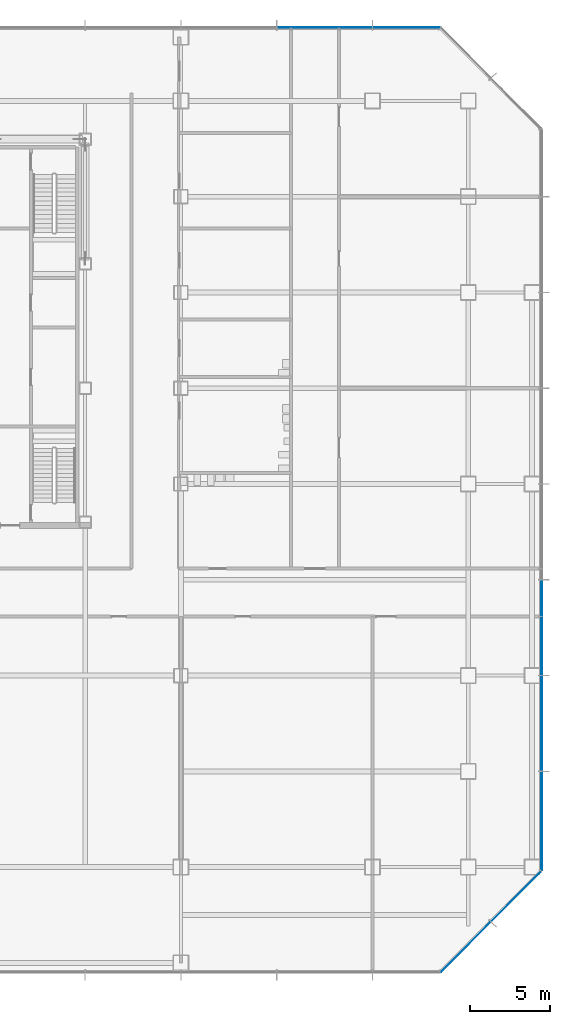
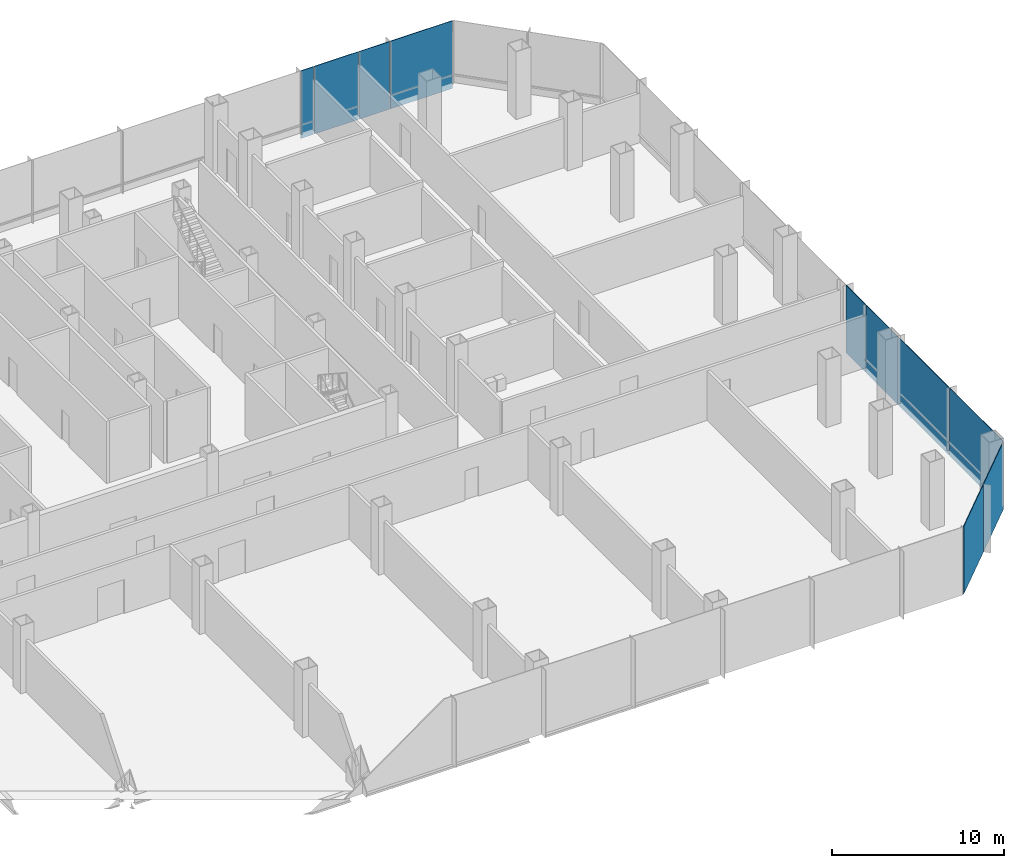
# One storey, part 21 of 33: 10 plates, 3 elements without a shape of their own.
"""IFC4 building model written with IfcOpenShell, lengths in metres."""

import ifcopenshell
import ifcopenshell.guid

model = None  # the IFC model being written
_history = None  # IfcOwnerHistory: only IFC2X3 demands one
_inside = {}  # id of a spatial element -> (the spatial element, [elements in it])
_under = {}  # id of a project, library or spatial element -> (it, [spatial elements below it])
_declared = {}  # id of a project -> (the project, [libraries it declares])
_typed = {}  # id of a type object -> (the type object, [elements of that type])
_made_of = {}  # id of a material, layer set ... -> (it, [elements and type objects made of it])


def new_model(schema):
    """Start an empty IFC model of exactly this schema.

    Asked for "IFC4X3", IfcOpenShell would pick the latest addendum, in which some entities
    have other attributes; the version numbers below select the first issue.
    IFC2X3 requires an IfcOwnerHistory on every rooted entity: one is made here for all.
    """
    global model, _history
    if schema == "IFC4X3":
        model = ifcopenshell.file(schema_version=(4, 3, 0, 0))
    else:
        model = ifcopenshell.file(schema=schema)
    _inside.clear()
    _under.clear()
    _declared.clear()
    _typed.clear()
    _made_of.clear()
    _history = None
    if model.schema == "IFC2X3":
        org = make("IfcOrganization", Name="unknown")
        user = make(
            "IfcPersonAndOrganization",
            ThePerson=make("IfcPerson", FamilyName="unknown"),
            TheOrganization=org,
        )
        app = make(
            "IfcApplication",
            ApplicationDeveloper=org,
            Version="unknown",
            ApplicationFullName="unknown",
            ApplicationIdentifier="unknown",
        )
        _history = make(
            "IfcOwnerHistory",
            OwningUser=user,
            OwningApplication=app,
            ChangeAction="ADDED",
            CreationDate=0,
        )
    return model


def make(cls, **values):
    """One entity of the class cls with the attributes given. An attribute that is None is left unset."""
    return model.create_entity(
        cls, **{name: value for name, value in values.items() if value is not None}
    )


def rooted(cls, **values):
    """An entity with a GlobalId (a new one), such as an element, a storey or a relation."""
    return make(cls, GlobalId=ifcopenshell.guid.new(), OwnerHistory=_history, **values)


def si_unit(unit_type, name, prefix=None):
    """IfcSIUnit, for example si_unit("LENGTHUNIT", "METRE", prefix="MILLI")."""
    return make("IfcSIUnit", UnitType=unit_type, Prefix=prefix, Name=name)


def assignment(units):
    """IfcUnitAssignment: the units of a project."""
    return None if units is None else make("IfcUnitAssignment", Units=units)


def point(xyz):
    """IfcCartesianPoint."""
    return None if xyz is None else make("IfcCartesianPoint", Coordinates=xyz)


def direction(xyz):
    """IfcDirection."""
    return None if xyz is None else make("IfcDirection", DirectionRatios=xyz)


def frame(location, z_axis=None, x_axis=None):
    """IfcAxis2Placement3D, a coordinate frame: its origin and axes. An axis left out is left unset."""
    return make(
        "IfcAxis2Placement3D",
        Location=point(location),
        Axis=direction(z_axis),
        RefDirection=direction(x_axis),
    )


def frame_2d(location, x_axis=None):
    """IfcAxis2Placement2D, a coordinate frame in the plane: its origin and x axis."""
    return make(
        "IfcAxis2Placement2D", Location=point(location), RefDirection=direction(x_axis)
    )


def origin():
    """The frame at (0, 0, 0) with its axes left unset."""
    return frame((0.0, 0.0, 0.0))


def origin_2d():
    """The frame at (0, 0) in the plane with its x axis left unset."""
    return frame_2d((0.0, 0.0))


def place(relative_to, where):
    """IfcLocalPlacement: puts the frame where relative to a parent placement (None: the world)."""
    return make(
        "IfcLocalPlacement", PlacementRelTo=relative_to, RelativePlacement=where
    )


def context(
    kind, dimensions, precision=None, world=None, true_north=None, identifier=None
):
    """IfcGeometricRepresentationContext, for example the 3D "Model" context."""
    return make(
        "IfcGeometricRepresentationContext",
        ContextIdentifier=identifier,
        ContextType=kind,
        CoordinateSpaceDimension=dimensions,
        Precision=precision,
        WorldCoordinateSystem=world,
        TrueNorth=true_north,
    )


def subcontext(parent, identifier, kind, view, scale=None):
    """IfcGeometricRepresentationSubContext, for example "Body" below "Model"."""
    return make(
        "IfcGeometricRepresentationSubContext",
        ContextIdentifier=identifier,
        ContextType=kind,
        ParentContext=parent,
        TargetScale=scale,
        TargetView=view,
    )


def project(units=None, contexts=None):
    """IfcProject with its units and contexts."""
    return rooted(
        "IfcProject",
        Name="project",
        RepresentationContexts=contexts,
        UnitsInContext=assignment(units),
    )


def spatial(cls, under=None, at=None, **own):
    """A site, building, storey or space (cls), placed at a placement, below another one or the project."""
    s = rooted(cls, ObjectPlacement=at, **own)
    if under is not None:
        _under.setdefault(under.id(), (under, []))[1].append(s)
    return s


def profile(cls, at=None, kind="AREA", **sizes):
    """A parametric profile (cls). Its sizes go by their IFC names, for example OverallWidth=200.0."""
    return make(cls, ProfileType=kind, Position=at, **sizes)


def rectangle(**sizes):
    """IfcRectangleProfileDef."""
    return profile("IfcRectangleProfileDef", **sizes)


def extrude(swept, where, along, depth):
    """IfcExtrudedAreaSolid: the profile swept, set in the frame where, extruded along a direction by depth."""
    return make(
        "IfcExtrudedAreaSolid",
        SweptArea=swept,
        Position=where,
        ExtrudedDirection=direction(along),
        Depth=depth,
    )


def shape(context_of_items, identifier, shape_type, items):
    """IfcShapeRepresentation: the items that make up one representation, for example the "Body"."""
    return make(
        "IfcShapeRepresentation",
        ContextOfItems=context_of_items,
        RepresentationIdentifier=identifier,
        RepresentationType=shape_type,
        Items=items,
    )


def material(Name=None, Category=None):
    """IfcMaterial."""
    return make("IfcMaterial", Name=Name, Category=Category)


def layer(
    of_material, thickness, ventilated=None, Name=None, Category=None, Priority=None
):
    """IfcMaterialLayer: one layer of a wall or slab, of a material (None: an air gap)."""
    return make(
        "IfcMaterialLayer",
        Material=of_material,
        LayerThickness=thickness,
        IsVentilated=ventilated,
        Name=Name,
        Category=Category,
        Priority=Priority,
    )


def layer_set(layers, Name=None):
    """IfcMaterialLayerSet."""
    return make("IfcMaterialLayerSet", MaterialLayers=layers, LayerSetName=Name)


def made_of(thing, what):
    """Note that an element or type object is made of a material, layer set ...; save() writes the relation."""
    if what is not None:
        _made_of.setdefault(what.id(), (what, []))[1].append(thing)
    return thing


def type_object(cls, material=None, **own):
    """A type object (cls), such as IfcWallType, which elements share."""
    return made_of(rooted(cls, **own), material)


def element(
    cls,
    number,
    at=None,
    inside=None,
    cuts=None,
    type_object=None,
    material=None,
    context=None,
    identifier="Body",
    shape_type=None,
    held_by="IfcProductDefinitionShape",
    body=None,
    shapes=None,
    **own,
):
    """One element of the class cls, such as IfcWall. Its Tag is "e" and its number.

    at: its placement. inside: the storey or other place that contains it. cuts: it is an
    opening in that element (IfcRelVoidsElement). A single representation is given by context,
    identifier, shape_type and body (its items); several are given by shapes. held_by: the class
    of the entity that holds the representations. save() writes the other relations.
    """
    e = rooted(cls, Tag="e%d" % number, ObjectPlacement=at, **own)
    if body is not None:
        shapes = [shape(context, identifier, shape_type, body)]
    if shapes is not None:
        e.Representation = make(held_by, Representations=shapes)
    if inside is not None:
        _inside.setdefault(inside.id(), (inside, []))[1].append(e)
    if cuts is not None:
        rooted(
            "IfcRelVoidsElement", RelatingBuildingElement=cuts, RelatedOpeningElement=e
        )
    if type_object is not None:
        _typed.setdefault(type_object.id(), (type_object, []))[1].append(e)
    return made_of(e, material)


def aggregate(whole, parts):
    """IfcRelAggregates: a whole, such as a stair, and the parts it consists of."""
    return rooted("IfcRelAggregates", RelatingObject=whole, RelatedObjects=parts)


def save(model, path):
    """Write the relations noted so far, then the file.

    IfcRelAggregates (storeys below a building ...), IfcRelContainedInSpatialStructure (elements
    in a storey), IfcRelDefinesByType, IfcRelAssociatesMaterial and IfcRelDeclares: one each for
    every whole, place, type object, material and project.
    """
    for whole, parts in _under.values():
        aggregate(whole, parts)
    for where, things in _inside.values():
        rooted(
            "IfcRelContainedInSpatialStructure",
            RelatedElements=things,
            RelatingStructure=where,
        )
    for kind, things in _typed.values():
        rooted("IfcRelDefinesByType", RelatedObjects=things, RelatingType=kind)
    for what, things in _made_of.values():
        rooted("IfcRelAssociatesMaterial", RelatedObjects=things, RelatingMaterial=what)
    for by, libraries in _declared.values():
        rooted("IfcRelDeclares", RelatingContext=by, RelatedDefinitions=libraries)
    model.write(path)


model = new_model("IFC4")

# Units and contexts
model_context = context("Model", 3, precision=1e-05, world=origin(), true_north=direction((0.0, 1.0)))
body_context = subcontext(model_context, "Body", "Model", "MODEL_VIEW")
ifc_project = project(units=[si_unit("LENGTHUNIT", "METRE"), si_unit("AREAUNIT", "SQUARE_METRE"), si_unit("VOLUMEUNIT", "CUBIC_METRE"), si_unit("PLANEANGLEUNIT", "RADIAN"), si_unit("MASSUNIT", "GRAM", prefix="KILO")], contexts=[model_context])

# Site, building, storey
site_placement = place(None, origin())
site = spatial("IfcSite", under=ifc_project, at=site_placement, CompositionType="ELEMENT")
building_placement = place(site_placement, origin())
building = spatial("IfcBuilding", under=site, at=building_placement, Name="Sorahane Residences", CompositionType="ELEMENT")
storey_placement = place(building_placement, frame((0.0, 0.0, 34.800048828125)))
storey = spatial("IfcBuildingStorey", under=building, at=storey_placement, Name="L05", CompositionType="ELEMENT", Elevation=34.800048828125)

# Curtain wall, plates
ifc_material_1 = material(Name="Dark low-e glass and black anodised aluminium", Category="aluminium")
curtain_wall_type = type_object("IfcCurtainWallType", Name="Curtain wall CW-3 Podium unitised wall", PredefinedType="NOTDEFINED", material=ifc_material_1)
curtain_wall_1_placement = place(storey_placement, origin())
curtain_wall_1 = element("IfcCurtainWall", 1, at=curtain_wall_1_placement, inside=storey, type_object=curtain_wall_type, Name="CW-3 curtain wall L05 SE1", PredefinedType="NOTDEFINED")
ifc_material_2 = material(Name="Dark low-e glass with black ceramic frit", Category="glass")
ifc_layer = layer(ifc_material_2, 0.0400390625)
ifc_layer_set = layer_set([ifc_layer], Name="Curtain wall glass panel dark low-e podium with black frit spandrel band")
plate_type = type_object("IfcPlateType", Name="Curtain wall glass panel dark low-e podium with black frit spandrel band", PredefinedType="CURTAIN_PANEL", material=ifc_layer_set)
plate_1_placement = place(storey_placement, frame((65.84521484375, -5.003173828125, -0.39990234375), z_axis=(0.0, 0.0, 1.0), x_axis=(0.707106781187, 0.707106781187, 0.0)))
plate_1 = element("IfcPlate", 2, at=plate_1_placement, type_object=plate_type, Name="CW-3 glass panel L05 SE1.1", PredefinedType="CURTAIN_PANEL", context=body_context, shape_type="SweptSolid", body=[
    extrude(rectangle(XDim=4.416259765625, YDim=0.0400390625, at=origin_2d()), origin(), (0.0, 0.0, 1.0), 4.800048828125),
])
plate_2_placement = place(storey_placement, frame((69.003173828125, -1.84521484375, -0.39990234375), z_axis=(0.0, 0.0, 1.0), x_axis=(0.707106781187, 0.707106781187, 0.0)))
plate_2 = element("IfcPlate", 3, at=plate_2_placement, type_object=plate_type, Name="CW-3 glass panel L05 SE1.2", PredefinedType="CURTAIN_PANEL", context=body_context, shape_type="SweptSolid", body=[
    extrude(rectangle(XDim=4.416259765625, YDim=0.0400390625, at=origin_2d()), origin(), (0.0, 0.0, 1.0), 4.800048828125),
])
aggregate(curtain_wall_1, [plate_1, plate_2])

curtain_wall_2_placement = place(storey_placement, origin())
curtain_wall_2 = element("IfcCurtainWall", 4, at=curtain_wall_2_placement, inside=storey, type_object=curtain_wall_type, Name="CW-3 curtain wall L05 E1", PredefinedType="NOTDEFINED")
plate_3_placement = place(storey_placement, frame((70.60009765625, 2.88818359375, -0.39990234375), z_axis=(0.0, 0.0, 1.0), x_axis=(0.0, 1.0, 0.0)))
plate_3 = element("IfcPlate", 5, at=plate_3_placement, type_object=plate_type, Name="CW-3 glass panel L05 E1.1", PredefinedType="CURTAIN_PANEL", context=body_context, shape_type="SweptSolid", body=[
    extrude(rectangle(XDim=6.173583984375, YDim=0.0400390625, at=origin_2d()), origin(), (0.0, 0.0, 1.0), 4.800048828125),
])
plate_4_placement = place(storey_placement, frame((70.60009765625, 9.0, -0.39990234375), z_axis=(0.0, 0.0, 1.0), x_axis=(0.0, 1.0, 0.0)))
plate_4 = element("IfcPlate", 6, at=plate_4_placement, type_object=plate_type, Name="CW-3 glass panel L05 E1.2", PredefinedType="CURTAIN_PANEL", context=body_context, shape_type="SweptSolid", body=[
    extrude(rectangle(XDim=5.949951171875, YDim=0.0400390625, at=origin_2d()), origin(), (0.0, 0.0, 1.0), 4.800048828125),
])
plate_5_placement = place(storey_placement, frame((70.60009765625, 13.85009765625, -0.39990234375), z_axis=(0.0, 0.0, 1.0), x_axis=(0.0, 1.0, 0.0)))
plate_5 = element("IfcPlate", 7, at=plate_5_placement, type_object=plate_type, Name="CW-3 glass panel L05 E1.3", PredefinedType="CURTAIN_PANEL", context=body_context, shape_type="SweptSolid", body=[
    extrude(rectangle(XDim=3.64990234375, YDim=0.0400390625, at=origin_2d()), origin(), (0.0, 0.0, 1.0), 4.800048828125),
])
plate_6_placement = place(storey_placement, frame((70.60009765625, 16.85009765625, -0.39990234375), z_axis=(0.0, 0.0, 1.0), x_axis=(0.0, 1.0, 0.0)))
plate_6 = element("IfcPlate", 8, at=plate_6_placement, type_object=plate_type, Name="CW-3 glass panel L05 E1.4", PredefinedType="CURTAIN_PANEL", context=body_context, shape_type="SweptSolid", body=[
    extrude(rectangle(XDim=2.25, YDim=0.0400390625, at=origin_2d()), origin(), (0.0, 0.0, 1.0), 4.800048828125),
])
aggregate(curtain_wall_2, [plate_3, plate_4, plate_5, plate_6])

curtain_wall_3_placement = place(storey_placement, origin())
curtain_wall_3 = element("IfcCurtainWall", 9, at=curtain_wall_3_placement, inside=storey, type_object=curtain_wall_type, Name="CW-3 curtain wall L05 N1", PredefinedType="NOTDEFINED")
plate_7_placement = place(storey_placement, frame((62.11181640625, 52.60009765625, -0.39990234375), z_axis=(0.0, 0.0, 1.0), x_axis=(-1.0, 0.0, 0.0)))
plate_7 = element("IfcPlate", 10, at=plate_7_placement, type_object=plate_type, Name="CW-3 glass panel L05 N1.1", PredefinedType="CURTAIN_PANEL", context=body_context, shape_type="SweptSolid", body=[
    extrude(rectangle(XDim=4.173583984375, YDim=0.0400390625, at=origin_2d()), origin(), (0.0, 0.0, 1.0), 4.800048828125),
])
plate_8_placement = place(storey_placement, frame((58.949951171875, 52.60009765625, -0.39990234375), z_axis=(0.0, 0.0, 1.0), x_axis=(-1.0, 0.0, 0.0)))
plate_8 = element("IfcPlate", 11, at=plate_8_placement, type_object=plate_type, Name="CW-3 glass panel L05 N1.2", PredefinedType="CURTAIN_PANEL", context=body_context, shape_type="SweptSolid", body=[
    extrude(rectangle(XDim=2.050048828125, YDim=0.0400390625, at=origin_2d()), origin(), (0.0, 0.0, 1.0), 4.800048828125),
])
plate_9_placement = place(storey_placement, frame((56.39990234375, 52.60009765625, -0.39990234375), z_axis=(0.0, 0.0, 1.0), x_axis=(-1.0, 0.0, 0.0)))
plate_9 = element("IfcPlate", 12, at=plate_9_placement, type_object=plate_type, Name="CW-3 glass panel L05 N1.3", PredefinedType="CURTAIN_PANEL", context=body_context, shape_type="SweptSolid", body=[
    extrude(rectangle(XDim=2.949951171875, YDim=0.0400390625, at=origin_2d()), origin(), (0.0, 0.0, 1.0), 4.800048828125),
])
plate_10_placement = place(storey_placement, frame((54.449951171875, 52.60009765625, -0.39990234375), z_axis=(0.0, 0.0, 1.0), x_axis=(-1.0, 0.0, 0.0)))
plate_10 = element("IfcPlate", 13, at=plate_10_placement, type_object=plate_type, Name="CW-3 glass panel L05 N1.4", PredefinedType="CURTAIN_PANEL", context=body_context, shape_type="SweptSolid", body=[
    extrude(rectangle(XDim=0.85009765625, YDim=0.0400390625, at=origin_2d()), origin(), (0.0, 0.0, 1.0), 4.800048828125),
])
aggregate(curtain_wall_3, [plate_7, plate_8, plate_9, plate_10])

save(model, "model.ifc")
